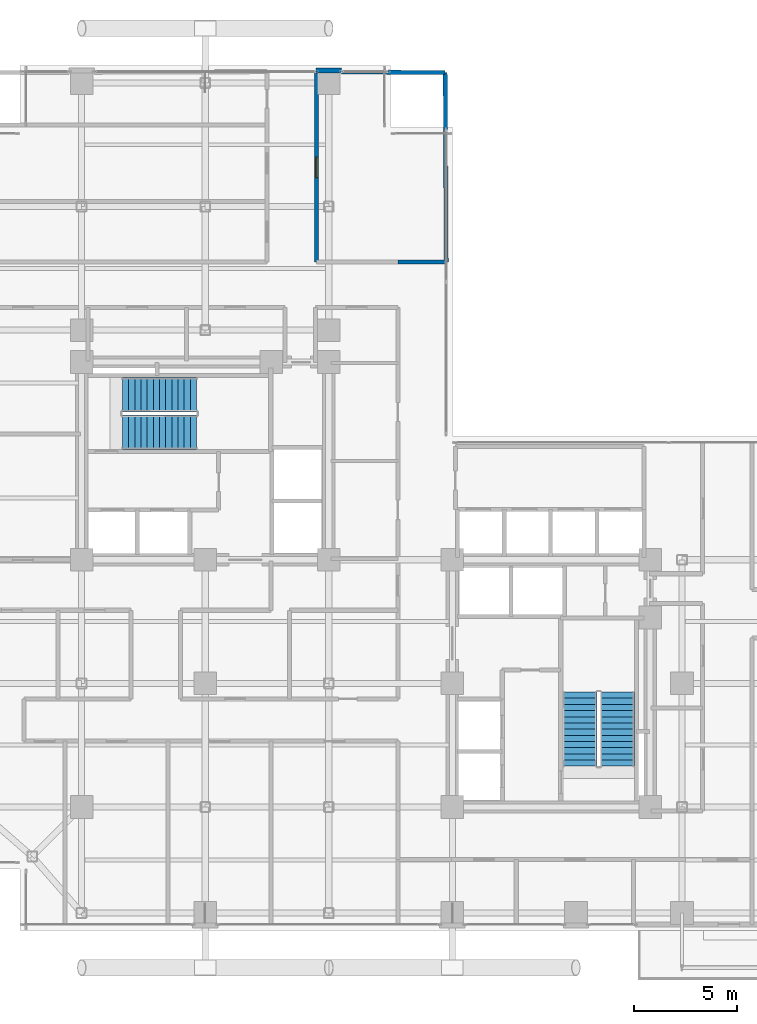
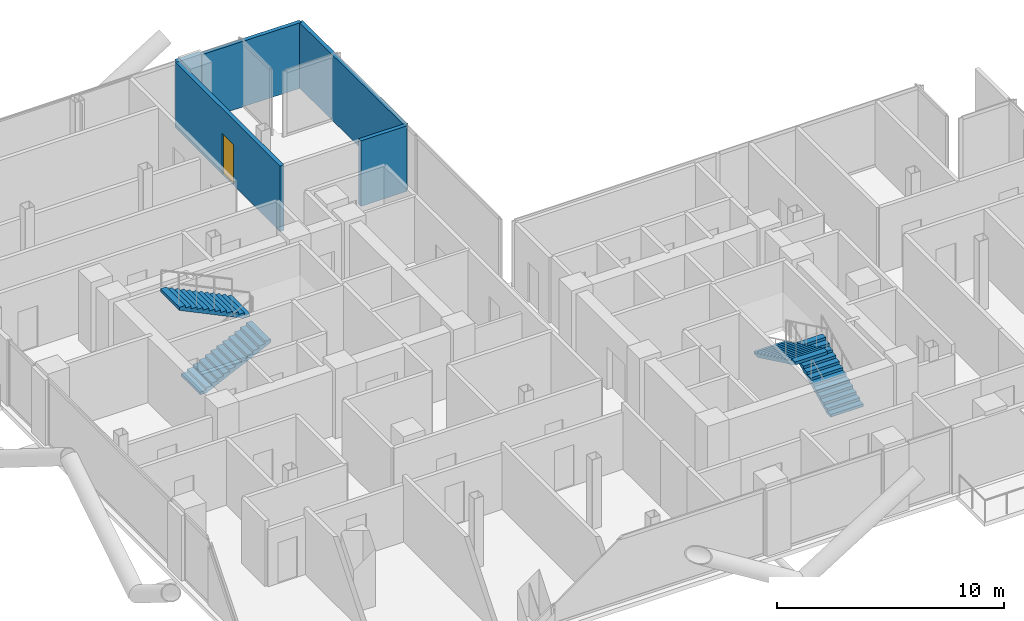
# One storey, part 25 of 28: 5 walls, 4 stair flights, 1 door, 1 opening, 2 elements without a shape of their own.
"""IFC4 building model written with IfcOpenShell, lengths in metres."""

from ifc_helpers import new_model, si_unit, direction, frame, frame_2d, origin, place, context, subcontext, project, spatial, polyline, rectangle, outline, extrude, material, layer, layer_set, type_object, element, fill, aggregate, save


model = new_model("IFC4")

# Units and contexts
model_context = context("Model", 3, precision=1e-05, world=origin(), true_north=direction((0.0, 1.0)))
body_context = subcontext(model_context, "Body", "Model", "MODEL_VIEW")
ifc_project = project(units=[si_unit("LENGTHUNIT", "METRE"), si_unit("AREAUNIT", "SQUARE_METRE"), si_unit("VOLUMEUNIT", "CUBIC_METRE"), si_unit("PLANEANGLEUNIT", "RADIAN"), si_unit("MASSUNIT", "GRAM", prefix="KILO"), si_unit("THERMODYNAMICTEMPERATUREUNIT", "KELVIN"), si_unit("POWERUNIT", "WATT")], contexts=[model_context])

# Site, building, storey
site_placement = place(None, origin())
site = spatial("IfcSite", under=ifc_project, at=site_placement, CompositionType="ELEMENT")
building_placement = place(site_placement, origin())
building = spatial("IfcBuilding", under=site, at=building_placement, Name="Svarakhadi Broadcast Tower", CompositionType="ELEMENT")
storey_placement = place(building_placement, frame((0.0, 0.0, 123.14990234375)))
storey = spatial("IfcBuildingStorey", under=building, at=storey_placement, Name="L29", CompositionType="ELEMENT", Elevation=123.14990234375)

# Walls
ifc_material_1 = material(Name="Double-Stud Acoustic Studio Partition STC-62", Category="gypsum")
ifc_layer_1 = layer(ifc_material_1, 0.199951171875)
ifc_layer_set_1 = layer_set([ifc_layer_1], Name="Double-Stud Acoustic Studio Partition STC-62")
wall_type_1 = type_object("IfcWallType", Name="Wall_Acoust_200", PredefinedType="PARTITIONING", material=ifc_layer_set_1)
wall_1_placement = place(storey_placement, frame((18.614990234375, 41.690185546875, 0.0), z_axis=(0.0, 0.0, 1.0), x_axis=(0.99996799533, -0.008000519771, 0.0)))
element("IfcWall", 1, at=wall_1_placement, inside=storey, type_object=wall_type_1, Name="L29 Executive Producer Office Wall", PredefinedType="PARTITIONING", context=body_context, shape_type="SweptSolid", body=[
    extrude(rectangle(XDim=5.03515625, YDim=0.199951171875, at=frame_2d((2.517578125, 0.0))), origin(), (0.0, 0.0, 1.0), 3.525146484375),
])
wall_2_placement = place(storey_placement, frame((23.699951171875, 32.449951171875, 0.0), z_axis=(0.0, 0.0, 1.0), x_axis=(-0.005440038388, 0.999985202882, 0.0)))
element("IfcWall", 2, at=wall_2_placement, inside=storey, type_object=wall_type_1, Name="L29 Executive Producer Office Wall", PredefinedType="PARTITIONING", context=body_context, shape_type="SweptSolid", body=[
    extrude(rectangle(XDim=9.2001953125, YDim=0.199951171875, at=frame_2d((4.60009765625, 0.0))), origin(), (0.0, 0.0, 1.0), 3.525146484375),
])
ifc_material_2 = material(Name="Concrete C40/50 (IS 456 M50)", Category="concrete")
ifc_layer_2 = layer(ifc_material_2, 0.239990234375)
ifc_layer_set_2 = layer_set([ifc_layer_2], Name="Concrete C40/50 (IS 456 M50)")
wall_type_2 = type_object("IfcWallType", Name="Wall_Ext_240", PredefinedType="SOLIDWALL", material=ifc_layer_set_2)
wall_3_placement = place(storey_placement, frame((17.385009765625, 41.760009765625, 0.0), z_axis=(0.0, 0.0, 1.0), x_axis=(1.0, 0.0, 0.0)))
element("IfcWall", 3, at=wall_3_placement, inside=storey, type_object=wall_type_2, Name="L29 Perimeter Bronze Spandrel Closure Wall 04", PredefinedType="SOLIDWALL", context=body_context, shape_type="SweptSolid", body=[
    extrude(rectangle(XDim=1.22998046875, YDim=0.239990234375, at=frame_2d((0.614990234375, 0.0))), origin(), (0.0, 0.0, 1.0), 3.525146484375),
])

# Wall, opening, door
ifc_layer_3 = layer(ifc_material_2, 0.199951171875)
ifc_layer_set_3 = layer_set([ifc_layer_3], Name="Concrete C40/50 (IS 456 M50)")
wall_type_3 = type_object("IfcWallType", Name="Wall_Fire_200", PredefinedType="SOLIDWALL", material=ifc_layer_set_3)
wall_4_placement = place(storey_placement, frame((17.39990234375, 41.699951171875, 0.0), z_axis=(0.0, 0.0, 1.0), x_axis=(0.0, -1.0, 0.0)))
wall_4 = element("IfcWall", 4, at=wall_4_placement, inside=storey, type_object=wall_type_3, Name="L29 Zone 2/3 Corridor Wall", PredefinedType="SOLIDWALL", context=body_context, shape_type="SweptSolid", body=[
    extrude(rectangle(XDim=9.25, YDim=0.199951171875, at=frame_2d((4.625, 0.0))), origin(), (0.0, 0.0, 1.0), 3.525146484375),
])
opening_placement = place(wall_4_placement, frame((4.14990234375, 0.0, 0.0)))
opening = element("IfcOpeningElement", 5, at=opening_placement, cuts=wall_4, Name="Opening D-09", PredefinedType="OPENING", context=body_context, shape_type="SweptSolid", body=[
    extrude(rectangle(XDim=1.0, YDim=2.199951171875, at=frame_2d((0.5, 1.10009765625))), frame((0.0, 0.10986328125, 0.0), z_axis=(0.0, -1.0, 0.0), x_axis=(1.0, 0.0, 0.0)), (0.0, 0.0, 1.0), 0.219970703125),
])
ifc_material_3 = material(Name="Solid-Core Teak Veneer Acoustic Timber Leaf", Category="wood")
door_type = type_object("IfcDoorType", Name="Door_Suite_D09", OperationType="SINGLE_SWING_RIGHT", PredefinedType="DOOR", material=ifc_material_3)
door_placement = place(opening_placement, origin())
door = element("IfcDoor", 6, at=door_placement, inside=storey, type_object=door_type, Name="L29 Executive Producer Office Door", OperationType="SINGLE_SWING_RIGHT", OverallHeight=2.199951171875, OverallWidth=1.0, PredefinedType="DOOR", context=body_context, shape_type="SweptSolid", body=[
    extrude(rectangle(XDim=1.0, YDim=2.199951171875, at=frame_2d((0.5, 1.10009765625))), frame((0.0, 0.02490234375, 0.0), z_axis=(0.0, -1.0, 0.0), x_axis=(1.0, 0.0, 0.0)), (0.0, 0.0, 1.0), 0.050048828125),
])
fill(opening, door)

# Wall
wall_5_placement = place(storey_placement, frame((21.35009765625, 32.449951171875, 0.0), z_axis=(0.0, 0.0, 1.0), x_axis=(1.0, 0.0, 0.0)))
element("IfcWall", 7, at=wall_5_placement, inside=storey, type_object=wall_type_3, Name="L29 Zone 2/3 Corridor Wall", PredefinedType="SOLIDWALL", context=body_context, shape_type="SweptSolid", body=[
    extrude(rectangle(XDim=2.349853515625, YDim=0.199951171875, at=frame_2d((1.1748046875, 0.0))), origin(), (0.0, 0.0, 1.0), 3.525146484375),
])

# Stair, stair flights
stair_type = type_object("IfcStairType", Name="Stair_Exit_Core", PredefinedType="HALF_TURN_STAIR", material=ifc_material_2)
stair_1_placement = place(storey_placement, origin())
stair_1 = element("IfcStair", 8, at=stair_1_placement, inside=storey, type_object=stair_type, Name="L29 West Core Protected Exit Stair ST-01", PredefinedType="HALF_TURN_STAIR")
stair_flight_type = type_object("IfcStairFlightType", Name="Flight_RC_1680", PredefinedType="STRAIGHT", material=ifc_material_2)
stair_flight_1_placement = place(storey_placement, frame((7.97998046875, 24.18994140625, 0.0), z_axis=(0.0, 0.0, 1.0), x_axis=(1.0, 0.0, 0.0)))
stair_flight_1 = element("IfcStairFlight", 9, at=stair_flight_1_placement, type_object=stair_flight_type, Name="ST-01 flight 1", NumberOfRisers=13, NumberOfTreads=12, PredefinedType="STRAIGHT", RiserHeight=0.144230769, TreadLength=0.3, context=body_context, shape_type="SweptSolid", body=[
    extrude(outline(polyline([(0.0, 0.0), (0.0, 0.144287109375), (0.300048828125, 0.144287109375), (0.300048828125, 0.28857421875), (0.60009765625, 0.28857421875), (0.60009765625, 0.4326171875), (0.89990234375, 0.4326171875), (0.89990234375, 0.576904296875), (1.199951171875, 0.576904296875), (1.199951171875, 0.72119140625), (1.5, 0.72119140625), (1.5, 0.865478515625), (1.800048828125, 0.865478515625), (1.800048828125, 1.009521484375), (2.10009765625, 1.009521484375), (2.10009765625, 1.15380859375), (2.39990234375, 1.15380859375), (2.39990234375, 1.298095703125), (2.699951171875, 1.298095703125), (2.699951171875, 1.4423828125), (3.0, 1.4423828125), (3.0, 1.58642578125), (3.300048828125, 1.58642578125), (3.300048828125, 1.730712890625), (3.60009765625, 1.730712890625), (3.60009765625, 1.875), (3.60009765625, 1.564453125), (0.345947265625, 0.0), (0.0, 0.0)])), frame((0.0, 0.830078125, 0.0), z_axis=(0.0, -1.0, 0.0), x_axis=(1.0, 0.0, 0.0)), (0.0, 0.0, 1.0), 1.659912109375),
])
stair_flight_2_placement = place(storey_placement, frame((11.580078125, 26.010009765625, 1.875), z_axis=(0.0, 0.0, 1.0), x_axis=(-1.0, 0.0, 0.0)))
stair_flight_2 = element("IfcStairFlight", 10, at=stair_flight_2_placement, type_object=stair_flight_type, Name="ST-01 flight 2", NumberOfRisers=13, NumberOfTreads=12, PredefinedType="STRAIGHT", RiserHeight=0.144230769, TreadLength=0.3, context=body_context, shape_type="SweptSolid", body=[
    extrude(outline(polyline([(0.0, 0.0), (0.0, 0.144287109375), (0.300048828125, 0.144287109375), (0.300048828125, 0.28857421875), (0.60009765625, 0.28857421875), (0.60009765625, 0.4326171875), (0.89990234375, 0.4326171875), (0.89990234375, 0.576904296875), (1.199951171875, 0.576904296875), (1.199951171875, 0.72119140625), (1.5, 0.72119140625), (1.5, 0.865478515625), (1.800048828125, 0.865478515625), (1.800048828125, 1.009521484375), (2.10009765625, 1.009521484375), (2.10009765625, 1.15380859375), (2.39990234375, 1.15380859375), (2.39990234375, 1.298095703125), (2.699951171875, 1.298095703125), (2.699951171875, 1.4423828125), (3.0, 1.4423828125), (3.0, 1.58642578125), (3.300048828125, 1.58642578125), (3.300048828125, 1.730712890625), (3.60009765625, 1.730712890625), (3.60009765625, 1.875), (3.60009765625, 1.564453125), (0.345947265625, 0.0), (0.0, 0.0)])), frame((0.0, 0.830078125, 0.0), z_axis=(0.0, -1.0, 0.0), x_axis=(1.0, 0.0, 0.0)), (0.0, 0.0, 1.0), 1.659912109375),
])
aggregate(stair_1, [stair_flight_1, stair_flight_2])

stair_2_placement = place(storey_placement, origin())
stair_2 = element("IfcStair", 11, at=stair_2_placement, inside=storey, type_object=stair_type, Name="L29 East Core Protected Exit Stair ST-02", PredefinedType="HALF_TURN_STAIR")
stair_flight_3_placement = place(storey_placement, frame((32.010009765625, 7.97998046875, 0.0), z_axis=(0.0, 0.0, 1.0), x_axis=(0.0, 1.0, 0.0)))
stair_flight_3 = element("IfcStairFlight", 12, at=stair_flight_3_placement, type_object=stair_flight_type, Name="ST-02 flight 1", NumberOfRisers=13, NumberOfTreads=12, PredefinedType="STRAIGHT", RiserHeight=0.144230769, TreadLength=0.3, context=body_context, shape_type="SweptSolid", body=[
    extrude(outline(polyline([(0.0, 0.0), (0.0, 0.144287109375), (0.300048828125, 0.144287109375), (0.300048828125, 0.28857421875), (0.60009765625, 0.28857421875), (0.60009765625, 0.4326171875), (0.89990234375, 0.4326171875), (0.89990234375, 0.576904296875), (1.199951171875, 0.576904296875), (1.199951171875, 0.72119140625), (1.5, 0.72119140625), (1.5, 0.865478515625), (1.800048828125, 0.865478515625), (1.800048828125, 1.009521484375), (2.10009765625, 1.009521484375), (2.10009765625, 1.15380859375), (2.39990234375, 1.15380859375), (2.39990234375, 1.298095703125), (2.699951171875, 1.298095703125), (2.699951171875, 1.4423828125), (3.0, 1.4423828125), (3.0, 1.58642578125), (3.300048828125, 1.58642578125), (3.300048828125, 1.730712890625), (3.60009765625, 1.730712890625), (3.60009765625, 1.875), (3.60009765625, 1.564453125), (0.345947265625, 0.0), (0.0, 0.0)])), frame((0.0, 0.830078125, 0.0), z_axis=(0.0, -1.0, 0.0), x_axis=(1.0, 0.0, 0.0)), (0.0, 0.0, 1.0), 1.659912109375),
])
stair_flight_4_placement = place(storey_placement, frame((30.18994140625, 11.580078125, 1.875), z_axis=(0.0, 0.0, 1.0), x_axis=(0.0, -1.0, 0.0)))
stair_flight_4 = element("IfcStairFlight", 13, at=stair_flight_4_placement, type_object=stair_flight_type, Name="ST-02 flight 2", NumberOfRisers=13, NumberOfTreads=12, PredefinedType="STRAIGHT", RiserHeight=0.144230769, TreadLength=0.3, context=body_context, shape_type="SweptSolid", body=[
    extrude(outline(polyline([(0.0, 0.0), (0.0, 0.144287109375), (0.300048828125, 0.144287109375), (0.300048828125, 0.28857421875), (0.60009765625, 0.28857421875), (0.60009765625, 0.4326171875), (0.89990234375, 0.4326171875), (0.89990234375, 0.576904296875), (1.199951171875, 0.576904296875), (1.199951171875, 0.72119140625), (1.5, 0.72119140625), (1.5, 0.865478515625), (1.800048828125, 0.865478515625), (1.800048828125, 1.009521484375), (2.10009765625, 1.009521484375), (2.10009765625, 1.15380859375), (2.39990234375, 1.15380859375), (2.39990234375, 1.298095703125), (2.699951171875, 1.298095703125), (2.699951171875, 1.4423828125), (3.0, 1.4423828125), (3.0, 1.58642578125), (3.300048828125, 1.58642578125), (3.300048828125, 1.730712890625), (3.60009765625, 1.730712890625), (3.60009765625, 1.875), (3.60009765625, 1.564453125), (0.345947265625, 0.0), (0.0, 0.0)])), frame((0.0, 0.830078125, 0.0), z_axis=(0.0, -1.0, 0.0), x_axis=(1.0, 0.0, 0.0)), (0.0, 0.0, 1.0), 1.659912109375),
])
aggregate(stair_2, [stair_flight_3, stair_flight_4])

save(model, "model.ifc")
